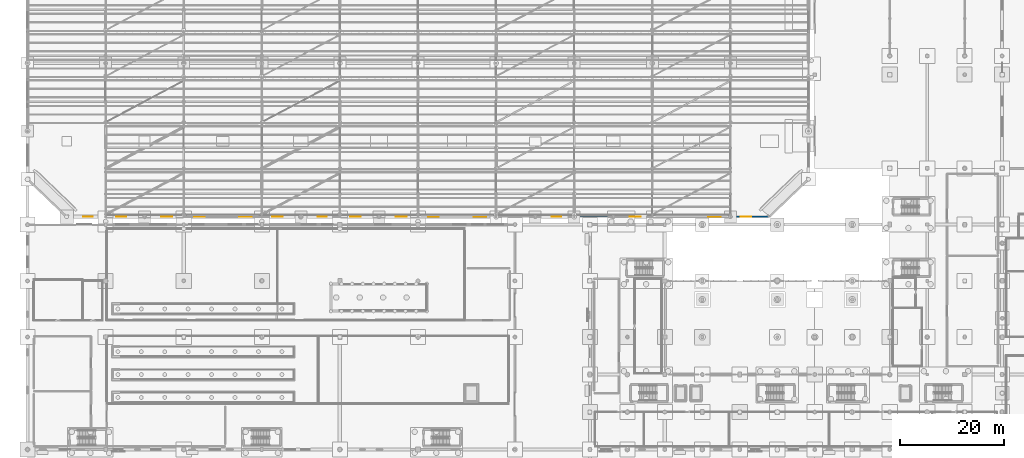
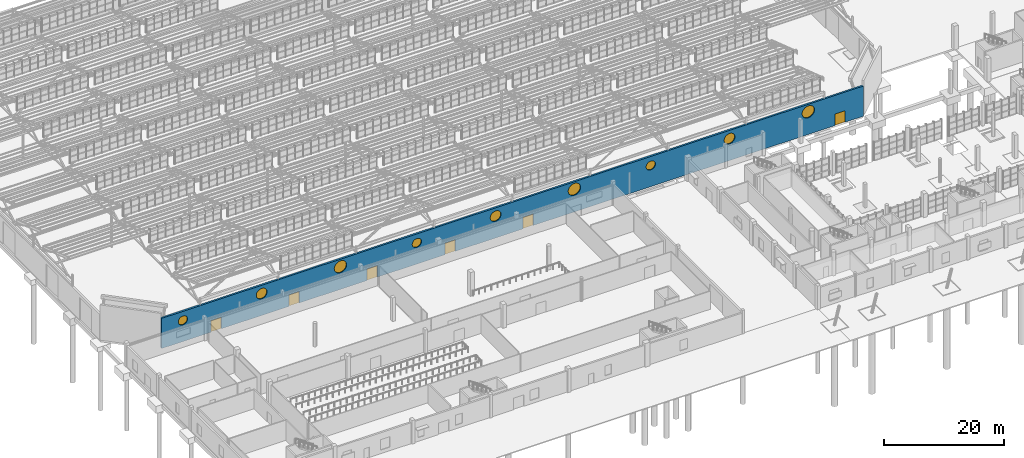
# One storey, part 253 of 285: 9 windows, 6 doors, 1 wall, 15 openings.
"""IFC4 building model written with IfcOpenShell, lengths in metres."""

from ifc_helpers import new_model, si_unit, direction, frame, frame_2d, origin, place, context, subcontext, project, spatial, polyline, rectangle, outline, extrude, material, layer, layer_set, type_object, element, fill, save


model = new_model("IFC4")

# Units and contexts
model_context = context("Model", 3, precision=1e-05, world=origin(), true_north=direction((0.0, 1.0)))
body_context = subcontext(model_context, "Body", "Model", "MODEL_VIEW")
ifc_project = project(units=[si_unit("LENGTHUNIT", "METRE"), si_unit("AREAUNIT", "SQUARE_METRE"), si_unit("VOLUMEUNIT", "CUBIC_METRE"), si_unit("PLANEANGLEUNIT", "RADIAN"), si_unit("MASSUNIT", "GRAM", prefix="KILO")], contexts=[model_context])

# Site, building, storey
site_placement = place(None, origin())
site = spatial("IfcSite", under=ifc_project, at=site_placement, CompositionType="ELEMENT")
building_placement = place(site_placement, origin())
building = spatial("IfcBuilding", under=site, at=building_placement, Name="Solanera Park Tramway Depot", CompositionType="ELEMENT")
storey_placement = place(building_placement, origin())
storey = spatial("IfcBuildingStorey", under=building, at=storey_placement, Name="L00", CompositionType="ELEMENT", Elevation=0.0)

# Wall, openings, windows, doors
ifc_material_1 = material(Name="Concrete N32 (C32/40)", Category="concrete")
ifc_layer = layer(ifc_material_1, 0.35009765625)
ifc_layer_set = layer_set([ifc_layer], Name="Concrete N32 (C32/40)")
wall_type = type_object("IfcWallType", Name="Ext Stucco Wall 350", PredefinedType="SOLIDWALL", material=ifc_layer_set)
wall_placement = place(storey_placement, frame((7.5, 55.5, 0.0), z_axis=(0.0, 0.0, 1.0), x_axis=(1.0, 0.0, 0.0)))
wall = element("IfcWall", 1, at=wall_placement, inside=storey, type_object=wall_type, Name="L00 V1 Perimeter Wall V1-S", PredefinedType="SOLIDWALL", context=body_context, shape_type="SweptSolid", body=[
    extrude(rectangle(XDim=135.0, YDim=0.35009765625, at=frame_2d((67.5, 0.0))), origin(), (0.0, 0.0, 1.0), 6.135986328125),
])
opening_1_placement = place(wall_placement, frame((3.199951171875, 0.0, 3.39990234375)))
opening_1 = element("IfcOpeningElement", 2, at=opening_1_placement, cuts=wall, Name="Opening WN-P18", PredefinedType="OPENING", context=body_context, shape_type="SweptSolid", body=[
    extrude(outline(polyline([(1.800048828125, 0.89990234375), (1.769287109375, 1.133056640625), (1.679443359375, 1.35009765625), (1.536376953125, 1.536376953125), (1.35009765625, 1.679443359375), (1.133056640625, 1.769287109375), (0.89990234375, 1.800048828125), (0.6669921875, 1.769287109375), (0.449951171875, 1.679443359375), (0.263671875, 1.536376953125), (0.12060546875, 1.35009765625), (0.03076171875, 1.133056640625), (0.0, 0.900146484375), (0.03076171875, 0.6669921875), (0.12060546875, 0.449951171875), (0.263671875, 0.263671875), (0.449951171875, 0.12060546875), (0.6669921875, 0.03076171875), (0.89990234375, 0.0), (1.133056640625, 0.03076171875), (1.35009765625, 0.12060546875), (1.536376953125, 0.263671875), (1.679443359375, 0.449951171875), (1.769287109375, 0.6669921875), (1.800048828125, 0.89990234375)])), frame((0.0, 0.18505859375, 0.0), z_axis=(0.0, -1.0, 0.0), x_axis=(1.0, 0.0, 0.0)), (0.0, 0.0, 1.0), 0.3701171875),
])
opening_2_placement = place(wall_placement, frame((18.199951171875, 0.0, 3.39990234375)))
opening_2 = element("IfcOpeningElement", 3, at=opening_2_placement, cuts=wall, Name="Opening WN-P21", PredefinedType="OPENING", context=body_context, shape_type="SweptSolid", body=[
    extrude(outline(polyline([(2.10009765625, 1.050048828125), (2.064208984375, 1.32177734375), (1.95947265625, 1.5751953125), (1.79248046875, 1.79248046875), (1.5751953125, 1.95947265625), (1.32177734375, 2.064208984375), (1.050048828125, 2.10009765625), (0.7783203125, 2.064208984375), (0.525146484375, 1.95947265625), (0.3076171875, 1.79248046875), (0.140625, 1.5751953125), (0.035888671875, 1.32177734375), (0.0, 1.050048828125), (0.035888671875, 0.7783203125), (0.140625, 0.525146484375), (0.3076171875, 0.3076171875), (0.52490234375, 0.140625), (0.7783203125, 0.035888671875), (1.050048828125, 0.0), (1.32177734375, 0.035888671875), (1.5751953125, 0.140625), (1.79248046875, 0.3076171875), (1.95947265625, 0.52490234375), (2.064208984375, 0.7783203125), (2.10009765625, 1.050048828125)])), frame((0.0, 0.18505859375, 0.0), z_axis=(0.0, -1.0, 0.0), x_axis=(1.0, 0.0, 0.0)), (0.0, 0.0, 1.0), 0.3701171875),
])
opening_3_placement = place(wall_placement, frame((33.199951171875, 0.0, 3.39990234375)))
opening_3 = element("IfcOpeningElement", 4, at=opening_3_placement, cuts=wall, Name="Opening WN-P24", PredefinedType="OPENING", context=body_context, shape_type="SweptSolid", body=[
    extrude(outline(polyline([(2.39990234375, 1.199951171875), (2.359130859375, 1.510498046875), (2.2392578125, 1.7998046875), (2.04833984375, 2.04833984375), (1.7998046875, 2.2392578125), (1.510498046875, 2.359130859375), (1.199951171875, 2.39990234375), (0.889404296875, 2.359130859375), (0.60009765625, 2.2392578125), (0.3515625, 2.04833984375), (0.16064453125, 1.7998046875), (0.040771484375, 1.510498046875), (0.0, 1.199951171875), (0.040771484375, 0.889404296875), (0.16064453125, 0.60009765625), (0.3515625, 0.3515625), (0.599853515625, 0.16064453125), (0.889404296875, 0.040771484375), (1.199951171875, 0.0), (1.510498046875, 0.040771484375), (1.7998046875, 0.16064453125), (2.04833984375, 0.3515625), (2.2392578125, 0.599853515625), (2.359130859375, 0.889404296875), (2.39990234375, 1.199951171875)])), frame((0.0, 0.18505859375, 0.0), z_axis=(0.0, -1.0, 0.0), x_axis=(1.0, 0.0, 0.0)), (0.0, 0.0, 1.0), 0.3701171875),
])
opening_4_placement = place(wall_placement, frame((48.199951171875, 0.0, 3.39990234375)))
opening_4 = element("IfcOpeningElement", 5, at=opening_4_placement, cuts=wall, Name="Opening WN-P18", PredefinedType="OPENING", context=body_context, shape_type="SweptSolid", body=[
    extrude(outline(polyline([(1.800048828125, 0.89990234375), (1.769287109375, 1.133056640625), (1.679443359375, 1.35009765625), (1.536376953125, 1.536376953125), (1.35009765625, 1.679443359375), (1.133056640625, 1.769287109375), (0.89990234375, 1.800048828125), (0.6669921875, 1.769287109375), (0.449951171875, 1.679443359375), (0.263671875, 1.536376953125), (0.12060546875, 1.35009765625), (0.03076171875, 1.133056640625), (0.0, 0.900146484375), (0.03076171875, 0.6669921875), (0.12060546875, 0.449951171875), (0.263671875, 0.263671875), (0.449951171875, 0.12060546875), (0.6669921875, 0.03076171875), (0.89990234375, 0.0), (1.133056640625, 0.03076171875), (1.35009765625, 0.12060546875), (1.536376953125, 0.263671875), (1.679443359375, 0.449951171875), (1.769287109375, 0.6669921875), (1.800048828125, 0.89990234375)])), frame((0.0, 0.18505859375, 0.0), z_axis=(0.0, -1.0, 0.0), x_axis=(1.0, 0.0, 0.0)), (0.0, 0.0, 1.0), 0.3701171875),
])
opening_5_placement = place(wall_placement, frame((63.199951171875, 0.0, 3.39990234375)))
opening_5 = element("IfcOpeningElement", 6, at=opening_5_placement, cuts=wall, Name="Opening WN-P21", PredefinedType="OPENING", context=body_context, shape_type="SweptSolid", body=[
    extrude(outline(polyline([(2.10009765625, 1.050048828125), (2.064208984375, 1.32177734375), (1.95947265625, 1.5751953125), (1.79248046875, 1.79248046875), (1.5751953125, 1.95947265625), (1.32177734375, 2.064208984375), (1.050048828125, 2.10009765625), (0.7783203125, 2.064208984375), (0.525146484375, 1.95947265625), (0.3076171875, 1.79248046875), (0.140625, 1.5751953125), (0.035888671875, 1.32177734375), (0.0, 1.050048828125), (0.035888671875, 0.7783203125), (0.140625, 0.525146484375), (0.3076171875, 0.3076171875), (0.52490234375, 0.140625), (0.7783203125, 0.035888671875), (1.050048828125, 0.0), (1.32177734375, 0.035888671875), (1.5751953125, 0.140625), (1.79248046875, 0.3076171875), (1.95947265625, 0.52490234375), (2.064208984375, 0.7783203125), (2.10009765625, 1.050048828125)])), frame((0.0, 0.18505859375, 0.0), z_axis=(0.0, -1.0, 0.0), x_axis=(1.0, 0.0, 0.0)), (0.0, 0.0, 1.0), 0.3701171875),
])
opening_6_placement = place(wall_placement, frame((78.199951171875, 0.0, 3.39990234375)))
opening_6 = element("IfcOpeningElement", 7, at=opening_6_placement, cuts=wall, Name="Opening WN-P24", PredefinedType="OPENING", context=body_context, shape_type="SweptSolid", body=[
    extrude(outline(polyline([(2.39990234375, 1.199951171875), (2.359130859375, 1.510498046875), (2.2392578125, 1.7998046875), (2.04833984375, 2.04833984375), (1.7998046875, 2.2392578125), (1.510498046875, 2.359130859375), (1.199951171875, 2.39990234375), (0.889404296875, 2.359130859375), (0.60009765625, 2.2392578125), (0.3515625, 2.04833984375), (0.16064453125, 1.7998046875), (0.040771484375, 1.510498046875), (0.0, 1.199951171875), (0.040771484375, 0.889404296875), (0.16064453125, 0.60009765625), (0.3515625, 0.3515625), (0.599853515625, 0.16064453125), (0.889404296875, 0.040771484375), (1.199951171875, 0.0), (1.510498046875, 0.040771484375), (1.7998046875, 0.16064453125), (2.04833984375, 0.3515625), (2.2392578125, 0.599853515625), (2.359130859375, 0.889404296875), (2.39990234375, 1.199951171875)])), frame((0.0, 0.18505859375, 0.0), z_axis=(0.0, -1.0, 0.0), x_axis=(1.0, 0.0, 0.0)), (0.0, 0.0, 1.0), 0.3701171875),
])
opening_7_placement = place(wall_placement, frame((93.199951171875, 0.0, 3.39990234375)))
opening_7 = element("IfcOpeningElement", 8, at=opening_7_placement, cuts=wall, Name="Opening WN-P18", PredefinedType="OPENING", context=body_context, shape_type="SweptSolid", body=[
    extrude(outline(polyline([(1.800048828125, 0.89990234375), (1.769287109375, 1.133056640625), (1.679443359375, 1.35009765625), (1.536376953125, 1.536376953125), (1.35009765625, 1.679443359375), (1.133056640625, 1.769287109375), (0.89990234375, 1.800048828125), (0.6669921875, 1.769287109375), (0.449951171875, 1.679443359375), (0.263671875, 1.536376953125), (0.12060546875, 1.35009765625), (0.03076171875, 1.133056640625), (0.0, 0.900146484375), (0.03076171875, 0.6669921875), (0.12060546875, 0.449951171875), (0.263671875, 0.263671875), (0.449951171875, 0.12060546875), (0.6669921875, 0.03076171875), (0.89990234375, 0.0), (1.133056640625, 0.03076171875), (1.35009765625, 0.12060546875), (1.536376953125, 0.263671875), (1.679443359375, 0.449951171875), (1.769287109375, 0.6669921875), (1.800048828125, 0.89990234375)])), frame((0.0, 0.18505859375, 0.0), z_axis=(0.0, -1.0, 0.0), x_axis=(1.0, 0.0, 0.0)), (0.0, 0.0, 1.0), 0.3701171875),
])
opening_8_placement = place(wall_placement, frame((108.199951171875, 0.0, 3.39990234375)))
opening_8 = element("IfcOpeningElement", 9, at=opening_8_placement, cuts=wall, Name="Opening WN-P21", PredefinedType="OPENING", context=body_context, shape_type="SweptSolid", body=[
    extrude(outline(polyline([(2.10009765625, 1.050048828125), (2.064208984375, 1.32177734375), (1.95947265625, 1.5751953125), (1.79248046875, 1.79248046875), (1.5751953125, 1.95947265625), (1.32177734375, 2.064208984375), (1.050048828125, 2.10009765625), (0.7783203125, 2.064208984375), (0.525146484375, 1.95947265625), (0.3076171875, 1.79248046875), (0.140625, 1.5751953125), (0.035888671875, 1.32177734375), (0.0, 1.050048828125), (0.035888671875, 0.7783203125), (0.140625, 0.525146484375), (0.3076171875, 0.3076171875), (0.52490234375, 0.140625), (0.7783203125, 0.035888671875), (1.050048828125, 0.0), (1.32177734375, 0.035888671875), (1.5751953125, 0.140625), (1.79248046875, 0.3076171875), (1.95947265625, 0.52490234375), (2.064208984375, 0.7783203125), (2.10009765625, 1.050048828125)])), frame((0.0, 0.18505859375, 0.0), z_axis=(0.0, -1.0, 0.0), x_axis=(1.0, 0.0, 0.0)), (0.0, 0.0, 1.0), 0.3701171875),
])
opening_9_placement = place(wall_placement, frame((123.199951171875, 0.0, 3.39990234375)))
opening_9 = element("IfcOpeningElement", 10, at=opening_9_placement, cuts=wall, Name="Opening WN-P24", PredefinedType="OPENING", context=body_context, shape_type="SweptSolid", body=[
    extrude(outline(polyline([(2.39990234375, 1.199951171875), (2.359130859375, 1.510498046875), (2.2392578125, 1.7998046875), (2.04833984375, 2.04833984375), (1.7998046875, 2.2392578125), (1.510498046875, 2.359130859375), (1.199951171875, 2.39990234375), (0.889404296875, 2.359130859375), (0.60009765625, 2.2392578125), (0.3515625, 2.04833984375), (0.16064453125, 1.7998046875), (0.040771484375, 1.510498046875), (0.0, 1.199951171875), (0.040771484375, 0.889404296875), (0.16064453125, 0.60009765625), (0.3515625, 0.3515625), (0.599853515625, 0.16064453125), (0.889404296875, 0.040771484375), (1.199951171875, 0.0), (1.510498046875, 0.040771484375), (1.7998046875, 0.16064453125), (2.04833984375, 0.3515625), (2.2392578125, 0.599853515625), (2.359130859375, 0.889404296875), (2.39990234375, 1.199951171875)])), frame((0.0, 0.18505859375, 0.0), z_axis=(0.0, -1.0, 0.0), x_axis=(1.0, 0.0, 0.0)), (0.0, 0.0, 1.0), 0.3701171875),
])
opening_10_placement = place(wall_placement, frame((9.5, 0.0, 0.0)))
opening_10 = element("IfcOpeningElement", 11, at=opening_10_placement, cuts=wall, Name="Opening ED-01", PredefinedType="OPENING", context=body_context, shape_type="SweptSolid", body=[
    extrude(rectangle(XDim=2.0, YDim=2.35009765625, at=frame_2d((1.0, 1.175048828125))), frame((0.0, 0.18505859375, 0.0), z_axis=(0.0, -1.0, 0.0), x_axis=(1.0, 0.0, 0.0)), (0.0, 0.0, 1.0), 0.3701171875),
])
opening_11_placement = place(wall_placement, frame((24.5, 0.0, 0.0)))
opening_11 = element("IfcOpeningElement", 12, at=opening_11_placement, cuts=wall, Name="Opening ED-01", PredefinedType="OPENING", context=body_context, shape_type="SweptSolid", body=[
    extrude(rectangle(XDim=2.0, YDim=2.35009765625, at=frame_2d((1.0, 1.175048828125))), frame((0.0, 0.18505859375, 0.0), z_axis=(0.0, -1.0, 0.0), x_axis=(1.0, 0.0, 0.0)), (0.0, 0.0, 1.0), 0.3701171875),
])
opening_12_placement = place(wall_placement, frame((39.5, 0.0, 0.0)))
opening_12 = element("IfcOpeningElement", 13, at=opening_12_placement, cuts=wall, Name="Opening ED-01", PredefinedType="OPENING", context=body_context, shape_type="SweptSolid", body=[
    extrude(rectangle(XDim=2.0, YDim=2.35009765625, at=frame_2d((1.0, 1.175048828125))), frame((0.0, 0.18505859375, 0.0), z_axis=(0.0, -1.0, 0.0), x_axis=(1.0, 0.0, 0.0)), (0.0, 0.0, 1.0), 0.3701171875),
])
opening_13_placement = place(wall_placement, frame((54.5, 0.0, 0.0)))
opening_13 = element("IfcOpeningElement", 14, at=opening_13_placement, cuts=wall, Name="Opening ED-01", PredefinedType="OPENING", context=body_context, shape_type="SweptSolid", body=[
    extrude(rectangle(XDim=2.0, YDim=2.35009765625, at=frame_2d((1.0, 1.175048828125))), frame((0.0, 0.18505859375, 0.0), z_axis=(0.0, -1.0, 0.0), x_axis=(1.0, 0.0, 0.0)), (0.0, 0.0, 1.0), 0.3701171875),
])
opening_14_placement = place(wall_placement, frame((69.5, 0.0, 0.0)))
opening_14 = element("IfcOpeningElement", 15, at=opening_14_placement, cuts=wall, Name="Opening ED-01", PredefinedType="OPENING", context=body_context, shape_type="SweptSolid", body=[
    extrude(rectangle(XDim=2.0, YDim=2.35009765625, at=frame_2d((1.0, 1.175048828125))), frame((0.0, 0.18505859375, 0.0), z_axis=(0.0, -1.0, 0.0), x_axis=(1.0, 0.0, 0.0)), (0.0, 0.0, 1.0), 0.3701171875),
])
opening_15_placement = place(wall_placement, frame((129.5, 0.0, 0.0)))
opening_15 = element("IfcOpeningElement", 16, at=opening_15_placement, cuts=wall, Name="Opening ED-01", PredefinedType="OPENING", context=body_context, shape_type="SweptSolid", body=[
    extrude(rectangle(XDim=2.0, YDim=2.35009765625, at=frame_2d((1.0, 1.175048828125))), frame((0.0, 0.18505859375, 0.0), z_axis=(0.0, -1.0, 0.0), x_axis=(1.0, 0.0, 0.0)), (0.0, 0.0, 1.0), 0.3701171875),
])
ifc_material_2 = material(Name="Powder-coated aluminium frame with solar-control double glazing", Category="aluminium")
window_type_1 = type_object("IfcWindowType", Name="Board-Marked Porthole Window 1800", PartitioningType="SINGLE_PANEL", PredefinedType="WINDOW", material=ifc_material_2)
window_1_placement = place(opening_1_placement, origin())
window_1 = element("IfcWindow", 17, at=window_1_placement, inside=storey, type_object=window_type_1, Name="Board-Marked Porthole Window #0001", OverallHeight=1.800048828125, OverallWidth=1.800048828125, PartitioningType="SINGLE_PANEL", PredefinedType="WINDOW", context=body_context, shape_type="SweptSolid", body=[
    extrude(outline(polyline([(1.800048828125, 0.89990234375), (1.769287109375, 1.133056640625), (1.679443359375, 1.35009765625), (1.536376953125, 1.536376953125), (1.35009765625, 1.679443359375), (1.133056640625, 1.769287109375), (0.89990234375, 1.800048828125), (0.6669921875, 1.769287109375), (0.449951171875, 1.679443359375), (0.263671875, 1.536376953125), (0.12060546875, 1.35009765625), (0.03076171875, 1.133056640625), (0.0, 0.900146484375), (0.03076171875, 0.6669921875), (0.12060546875, 0.449951171875), (0.263671875, 0.263671875), (0.449951171875, 0.12060546875), (0.6669921875, 0.03076171875), (0.89990234375, 0.0), (1.133056640625, 0.03076171875), (1.35009765625, 0.12060546875), (1.536376953125, 0.263671875), (1.679443359375, 0.449951171875), (1.769287109375, 0.6669921875), (1.800048828125, 0.89990234375)])), frame((0.0, 0.030029296875, 0.0), z_axis=(0.0, -1.0, 0.0), x_axis=(1.0, 0.0, 0.0)), (0.0, 0.0, 1.0), 0.06005859375),
])
fill(opening_1, window_1)
window_2_placement = place(opening_4_placement, origin())
window_2 = element("IfcWindow", 18, at=window_2_placement, inside=storey, type_object=window_type_1, Name="Board-Marked Porthole Window #0004", OverallHeight=1.800048828125, OverallWidth=1.800048828125, PartitioningType="SINGLE_PANEL", PredefinedType="WINDOW", context=body_context, shape_type="SweptSolid", body=[
    extrude(outline(polyline([(1.800048828125, 0.89990234375), (1.769287109375, 1.133056640625), (1.679443359375, 1.35009765625), (1.536376953125, 1.536376953125), (1.35009765625, 1.679443359375), (1.133056640625, 1.769287109375), (0.89990234375, 1.800048828125), (0.6669921875, 1.769287109375), (0.449951171875, 1.679443359375), (0.263671875, 1.536376953125), (0.12060546875, 1.35009765625), (0.03076171875, 1.133056640625), (0.0, 0.900146484375), (0.03076171875, 0.6669921875), (0.12060546875, 0.449951171875), (0.263671875, 0.263671875), (0.449951171875, 0.12060546875), (0.6669921875, 0.03076171875), (0.89990234375, 0.0), (1.133056640625, 0.03076171875), (1.35009765625, 0.12060546875), (1.536376953125, 0.263671875), (1.679443359375, 0.449951171875), (1.769287109375, 0.6669921875), (1.800048828125, 0.89990234375)])), frame((0.0, 0.030029296875, 0.0), z_axis=(0.0, -1.0, 0.0), x_axis=(1.0, 0.0, 0.0)), (0.0, 0.0, 1.0), 0.06005859375),
])
fill(opening_4, window_2)
window_3_placement = place(opening_7_placement, origin())
window_3 = element("IfcWindow", 19, at=window_3_placement, inside=storey, type_object=window_type_1, Name="Board-Marked Porthole Window #0007", OverallHeight=1.800048828125, OverallWidth=1.800048828125, PartitioningType="SINGLE_PANEL", PredefinedType="WINDOW", context=body_context, shape_type="SweptSolid", body=[
    extrude(outline(polyline([(1.800048828125, 0.89990234375), (1.769287109375, 1.133056640625), (1.679443359375, 1.35009765625), (1.536376953125, 1.536376953125), (1.35009765625, 1.679443359375), (1.133056640625, 1.769287109375), (0.89990234375, 1.800048828125), (0.6669921875, 1.769287109375), (0.449951171875, 1.679443359375), (0.263671875, 1.536376953125), (0.12060546875, 1.35009765625), (0.03076171875, 1.133056640625), (0.0, 0.900146484375), (0.03076171875, 0.6669921875), (0.12060546875, 0.449951171875), (0.263671875, 0.263671875), (0.449951171875, 0.12060546875), (0.6669921875, 0.03076171875), (0.89990234375, 0.0), (1.133056640625, 0.03076171875), (1.35009765625, 0.12060546875), (1.536376953125, 0.263671875), (1.679443359375, 0.449951171875), (1.769287109375, 0.6669921875), (1.800048828125, 0.89990234375)])), frame((0.0, 0.030029296875, 0.0), z_axis=(0.0, -1.0, 0.0), x_axis=(1.0, 0.0, 0.0)), (0.0, 0.0, 1.0), 0.06005859375),
])
fill(opening_7, window_3)
ifc_material_3 = material(Name="Powder-coated aluminium frame with solar-control double glazing", Category="aluminium")
window_type_2 = type_object("IfcWindowType", Name="Board-Marked Porthole Window 2100", PartitioningType="SINGLE_PANEL", PredefinedType="WINDOW", material=ifc_material_3)
window_4_placement = place(opening_2_placement, origin())
window_4 = element("IfcWindow", 20, at=window_4_placement, inside=storey, type_object=window_type_2, Name="Board-Marked Porthole Window #0002", OverallHeight=2.10009765625, OverallWidth=2.10009765625, PartitioningType="SINGLE_PANEL", PredefinedType="WINDOW", context=body_context, shape_type="SweptSolid", body=[
    extrude(outline(polyline([(2.10009765625, 1.050048828125), (2.064208984375, 1.32177734375), (1.95947265625, 1.5751953125), (1.79248046875, 1.79248046875), (1.5751953125, 1.95947265625), (1.32177734375, 2.064208984375), (1.050048828125, 2.10009765625), (0.7783203125, 2.064208984375), (0.525146484375, 1.95947265625), (0.3076171875, 1.79248046875), (0.140625, 1.5751953125), (0.035888671875, 1.32177734375), (0.0, 1.050048828125), (0.035888671875, 0.7783203125), (0.140625, 0.525146484375), (0.3076171875, 0.3076171875), (0.52490234375, 0.140625), (0.7783203125, 0.035888671875), (1.050048828125, 0.0), (1.32177734375, 0.035888671875), (1.5751953125, 0.140625), (1.79248046875, 0.3076171875), (1.95947265625, 0.52490234375), (2.064208984375, 0.7783203125), (2.10009765625, 1.050048828125)])), frame((0.0, 0.030029296875, 0.0), z_axis=(0.0, -1.0, 0.0), x_axis=(1.0, 0.0, 0.0)), (0.0, 0.0, 1.0), 0.06005859375),
])
fill(opening_2, window_4)
window_5_placement = place(opening_5_placement, origin())
window_5 = element("IfcWindow", 21, at=window_5_placement, inside=storey, type_object=window_type_2, Name="Board-Marked Porthole Window #0005", OverallHeight=2.10009765625, OverallWidth=2.10009765625, PartitioningType="SINGLE_PANEL", PredefinedType="WINDOW", context=body_context, shape_type="SweptSolid", body=[
    extrude(outline(polyline([(2.10009765625, 1.050048828125), (2.064208984375, 1.32177734375), (1.95947265625, 1.5751953125), (1.79248046875, 1.79248046875), (1.5751953125, 1.95947265625), (1.32177734375, 2.064208984375), (1.050048828125, 2.10009765625), (0.7783203125, 2.064208984375), (0.525146484375, 1.95947265625), (0.3076171875, 1.79248046875), (0.140625, 1.5751953125), (0.035888671875, 1.32177734375), (0.0, 1.050048828125), (0.035888671875, 0.7783203125), (0.140625, 0.525146484375), (0.3076171875, 0.3076171875), (0.52490234375, 0.140625), (0.7783203125, 0.035888671875), (1.050048828125, 0.0), (1.32177734375, 0.035888671875), (1.5751953125, 0.140625), (1.79248046875, 0.3076171875), (1.95947265625, 0.52490234375), (2.064208984375, 0.7783203125), (2.10009765625, 1.050048828125)])), frame((0.0, 0.030029296875, 0.0), z_axis=(0.0, -1.0, 0.0), x_axis=(1.0, 0.0, 0.0)), (0.0, 0.0, 1.0), 0.06005859375),
])
fill(opening_5, window_5)
window_6_placement = place(opening_8_placement, origin())
window_6 = element("IfcWindow", 22, at=window_6_placement, inside=storey, type_object=window_type_2, Name="Board-Marked Porthole Window #0008", OverallHeight=2.10009765625, OverallWidth=2.10009765625, PartitioningType="SINGLE_PANEL", PredefinedType="WINDOW", context=body_context, shape_type="SweptSolid", body=[
    extrude(outline(polyline([(2.10009765625, 1.050048828125), (2.064208984375, 1.32177734375), (1.95947265625, 1.5751953125), (1.79248046875, 1.79248046875), (1.5751953125, 1.95947265625), (1.32177734375, 2.064208984375), (1.050048828125, 2.10009765625), (0.7783203125, 2.064208984375), (0.525146484375, 1.95947265625), (0.3076171875, 1.79248046875), (0.140625, 1.5751953125), (0.035888671875, 1.32177734375), (0.0, 1.050048828125), (0.035888671875, 0.7783203125), (0.140625, 0.525146484375), (0.3076171875, 0.3076171875), (0.52490234375, 0.140625), (0.7783203125, 0.035888671875), (1.050048828125, 0.0), (1.32177734375, 0.035888671875), (1.5751953125, 0.140625), (1.79248046875, 0.3076171875), (1.95947265625, 0.52490234375), (2.064208984375, 0.7783203125), (2.10009765625, 1.050048828125)])), frame((0.0, 0.030029296875, 0.0), z_axis=(0.0, -1.0, 0.0), x_axis=(1.0, 0.0, 0.0)), (0.0, 0.0, 1.0), 0.06005859375),
])
fill(opening_8, window_6)
ifc_material_4 = material(Name="Powder-coated aluminium frame with solar-control double glazing", Category="aluminium")
window_type_3 = type_object("IfcWindowType", Name="Board-Marked Porthole Window 2400", PartitioningType="SINGLE_PANEL", PredefinedType="WINDOW", material=ifc_material_4)
window_7_placement = place(opening_3_placement, origin())
window_7 = element("IfcWindow", 23, at=window_7_placement, inside=storey, type_object=window_type_3, Name="Board-Marked Porthole Window #0003", OverallHeight=2.39990234375, OverallWidth=2.39990234375, PartitioningType="SINGLE_PANEL", PredefinedType="WINDOW", context=body_context, shape_type="SweptSolid", body=[
    extrude(outline(polyline([(2.39990234375, 1.199951171875), (2.359130859375, 1.510498046875), (2.2392578125, 1.7998046875), (2.04833984375, 2.04833984375), (1.7998046875, 2.2392578125), (1.510498046875, 2.359130859375), (1.199951171875, 2.39990234375), (0.889404296875, 2.359130859375), (0.60009765625, 2.2392578125), (0.3515625, 2.04833984375), (0.16064453125, 1.7998046875), (0.040771484375, 1.510498046875), (0.0, 1.199951171875), (0.040771484375, 0.889404296875), (0.16064453125, 0.60009765625), (0.3515625, 0.3515625), (0.599853515625, 0.16064453125), (0.889404296875, 0.040771484375), (1.199951171875, 0.0), (1.510498046875, 0.040771484375), (1.7998046875, 0.16064453125), (2.04833984375, 0.3515625), (2.2392578125, 0.599853515625), (2.359130859375, 0.889404296875), (2.39990234375, 1.199951171875)])), frame((0.0, 0.030029296875, 0.0), z_axis=(0.0, -1.0, 0.0), x_axis=(1.0, 0.0, 0.0)), (0.0, 0.0, 1.0), 0.06005859375),
])
fill(opening_3, window_7)
window_8_placement = place(opening_6_placement, origin())
window_8 = element("IfcWindow", 24, at=window_8_placement, inside=storey, type_object=window_type_3, Name="Board-Marked Porthole Window #0006", OverallHeight=2.39990234375, OverallWidth=2.39990234375, PartitioningType="SINGLE_PANEL", PredefinedType="WINDOW", context=body_context, shape_type="SweptSolid", body=[
    extrude(outline(polyline([(2.39990234375, 1.199951171875), (2.359130859375, 1.510498046875), (2.2392578125, 1.7998046875), (2.04833984375, 2.04833984375), (1.7998046875, 2.2392578125), (1.510498046875, 2.359130859375), (1.199951171875, 2.39990234375), (0.889404296875, 2.359130859375), (0.60009765625, 2.2392578125), (0.3515625, 2.04833984375), (0.16064453125, 1.7998046875), (0.040771484375, 1.510498046875), (0.0, 1.199951171875), (0.040771484375, 0.889404296875), (0.16064453125, 0.60009765625), (0.3515625, 0.3515625), (0.599853515625, 0.16064453125), (0.889404296875, 0.040771484375), (1.199951171875, 0.0), (1.510498046875, 0.040771484375), (1.7998046875, 0.16064453125), (2.04833984375, 0.3515625), (2.2392578125, 0.599853515625), (2.359130859375, 0.889404296875), (2.39990234375, 1.199951171875)])), frame((0.0, 0.030029296875, 0.0), z_axis=(0.0, -1.0, 0.0), x_axis=(1.0, 0.0, 0.0)), (0.0, 0.0, 1.0), 0.06005859375),
])
fill(opening_6, window_8)
window_9_placement = place(opening_9_placement, origin())
window_9 = element("IfcWindow", 25, at=window_9_placement, inside=storey, type_object=window_type_3, Name="Board-Marked Porthole Window #0009", OverallHeight=2.39990234375, OverallWidth=2.39990234375, PartitioningType="SINGLE_PANEL", PredefinedType="WINDOW", context=body_context, shape_type="SweptSolid", body=[
    extrude(outline(polyline([(2.39990234375, 1.199951171875), (2.359130859375, 1.510498046875), (2.2392578125, 1.7998046875), (2.04833984375, 2.04833984375), (1.7998046875, 2.2392578125), (1.510498046875, 2.359130859375), (1.199951171875, 2.39990234375), (0.889404296875, 2.359130859375), (0.60009765625, 2.2392578125), (0.3515625, 2.04833984375), (0.16064453125, 1.7998046875), (0.040771484375, 1.510498046875), (0.0, 1.199951171875), (0.040771484375, 0.889404296875), (0.16064453125, 0.60009765625), (0.3515625, 0.3515625), (0.599853515625, 0.16064453125), (0.889404296875, 0.040771484375), (1.199951171875, 0.0), (1.510498046875, 0.040771484375), (1.7998046875, 0.16064453125), (2.04833984375, 0.3515625), (2.2392578125, 0.599853515625), (2.359130859375, 0.889404296875), (2.39990234375, 1.199951171875)])), frame((0.0, 0.030029296875, 0.0), z_axis=(0.0, -1.0, 0.0), x_axis=(1.0, 0.0, 0.0)), (0.0, 0.0, 1.0), 0.06005859375),
])
fill(opening_9, window_9)
ifc_material_5 = material(Name="Powder-coated aluminium and steel portal leaf", Category="steel")
door_type = type_object("IfcDoorType", Name="Civic Entrance Double Door 2000x2350", OperationType="DOUBLE_SWING_LEFT", PredefinedType="DOOR", material=ifc_material_5)
door_1_placement = place(opening_10_placement, frame((2.0, 0.0, 0.0), z_axis=(0.0, 0.0, 1.0), x_axis=(-1.0, 0.0, 0.0)))
door_1 = element("IfcDoor", 26, at=door_1_placement, inside=storey, type_object=door_type, Name="Depot Shed Final Exit Double Door #0001", OperationType="DOUBLE_SWING_LEFT", OverallHeight=2.35009765625, OverallWidth=2.0, PredefinedType="DOOR", context=body_context, shape_type="SweptSolid", body=[
    extrude(rectangle(XDim=2.0, YDim=2.35009765625, at=frame_2d((1.0, 1.175048828125))), frame((0.0, 0.02490234375, 0.0), z_axis=(0.0, -1.0, 0.0), x_axis=(1.0, 0.0, 0.0)), (0.0, 0.0, 1.0), 0.050048828125),
])
fill(opening_10, door_1)
door_2_placement = place(opening_11_placement, frame((2.0, 0.0, 0.0), z_axis=(0.0, 0.0, 1.0), x_axis=(-1.0, 0.0, 0.0)))
door_2 = element("IfcDoor", 27, at=door_2_placement, inside=storey, type_object=door_type, Name="Depot Shed Final Exit Double Door #0002", OperationType="DOUBLE_SWING_LEFT", OverallHeight=2.35009765625, OverallWidth=2.0, PredefinedType="DOOR", context=body_context, shape_type="SweptSolid", body=[
    extrude(rectangle(XDim=2.0, YDim=2.35009765625, at=frame_2d((1.0, 1.175048828125))), frame((0.0, 0.02490234375, 0.0), z_axis=(0.0, -1.0, 0.0), x_axis=(1.0, 0.0, 0.0)), (0.0, 0.0, 1.0), 0.050048828125),
])
fill(opening_11, door_2)
door_3_placement = place(opening_12_placement, frame((2.0, 0.0, 0.0), z_axis=(0.0, 0.0, 1.0), x_axis=(-1.0, 0.0, 0.0)))
door_3 = element("IfcDoor", 28, at=door_3_placement, inside=storey, type_object=door_type, Name="Depot Shed Final Exit Double Door #0003", OperationType="DOUBLE_SWING_LEFT", OverallHeight=2.35009765625, OverallWidth=2.0, PredefinedType="DOOR", context=body_context, shape_type="SweptSolid", body=[
    extrude(rectangle(XDim=2.0, YDim=2.35009765625, at=frame_2d((1.0, 1.175048828125))), frame((0.0, 0.02490234375, 0.0), z_axis=(0.0, -1.0, 0.0), x_axis=(1.0, 0.0, 0.0)), (0.0, 0.0, 1.0), 0.050048828125),
])
fill(opening_12, door_3)
door_4_placement = place(opening_13_placement, frame((2.0, 0.0, 0.0), z_axis=(0.0, 0.0, 1.0), x_axis=(-1.0, 0.0, 0.0)))
door_4 = element("IfcDoor", 29, at=door_4_placement, inside=storey, type_object=door_type, Name="Depot Shed Final Exit Double Door #0004", OperationType="DOUBLE_SWING_LEFT", OverallHeight=2.35009765625, OverallWidth=2.0, PredefinedType="DOOR", context=body_context, shape_type="SweptSolid", body=[
    extrude(rectangle(XDim=2.0, YDim=2.35009765625, at=frame_2d((1.0, 1.175048828125))), frame((0.0, 0.02490234375, 0.0), z_axis=(0.0, -1.0, 0.0), x_axis=(1.0, 0.0, 0.0)), (0.0, 0.0, 1.0), 0.050048828125),
])
fill(opening_13, door_4)
door_5_placement = place(opening_14_placement, frame((2.0, 0.0, 0.0), z_axis=(0.0, 0.0, 1.0), x_axis=(-1.0, 0.0, 0.0)))
door_5 = element("IfcDoor", 30, at=door_5_placement, inside=storey, type_object=door_type, Name="Depot Shed Final Exit Double Door #0005", OperationType="DOUBLE_SWING_LEFT", OverallHeight=2.35009765625, OverallWidth=2.0, PredefinedType="DOOR", context=body_context, shape_type="SweptSolid", body=[
    extrude(rectangle(XDim=2.0, YDim=2.35009765625, at=frame_2d((1.0, 1.175048828125))), frame((0.0, 0.02490234375, 0.0), z_axis=(0.0, -1.0, 0.0), x_axis=(1.0, 0.0, 0.0)), (0.0, 0.0, 1.0), 0.050048828125),
])
fill(opening_14, door_5)
door_6_placement = place(opening_15_placement, frame((2.0, 0.0, 0.0), z_axis=(0.0, 0.0, 1.0), x_axis=(-1.0, 0.0, 0.0)))
door_6 = element("IfcDoor", 31, at=door_6_placement, inside=storey, type_object=door_type, Name="Depot Shed Final Exit Double Door #0006", OperationType="DOUBLE_SWING_LEFT", OverallHeight=2.35009765625, OverallWidth=2.0, PredefinedType="DOOR", context=body_context, shape_type="SweptSolid", body=[
    extrude(rectangle(XDim=2.0, YDim=2.35009765625, at=frame_2d((1.0, 1.175048828125))), frame((0.0, 0.02490234375, 0.0), z_axis=(0.0, -1.0, 0.0), x_axis=(1.0, 0.0, 0.0)), (0.0, 0.0, 1.0), 0.050048828125),
])
fill(opening_15, door_6)

save(model, "model.ifc")
